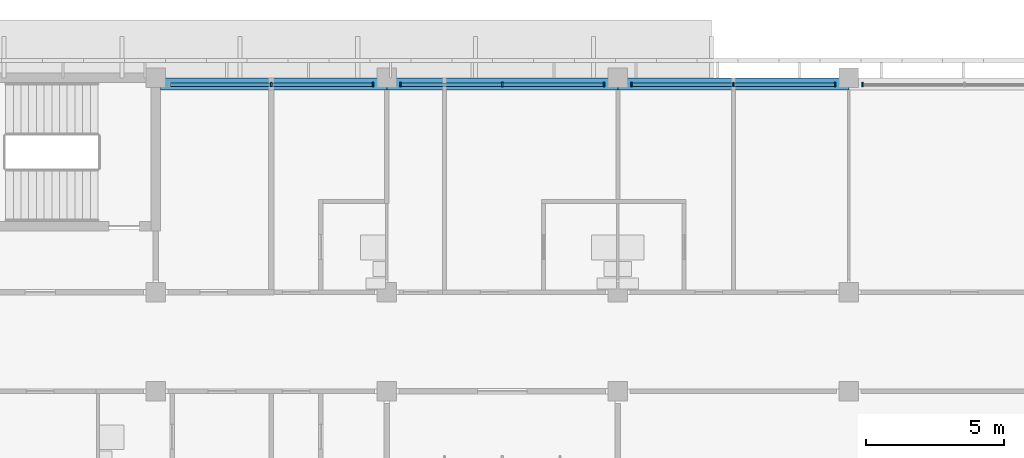
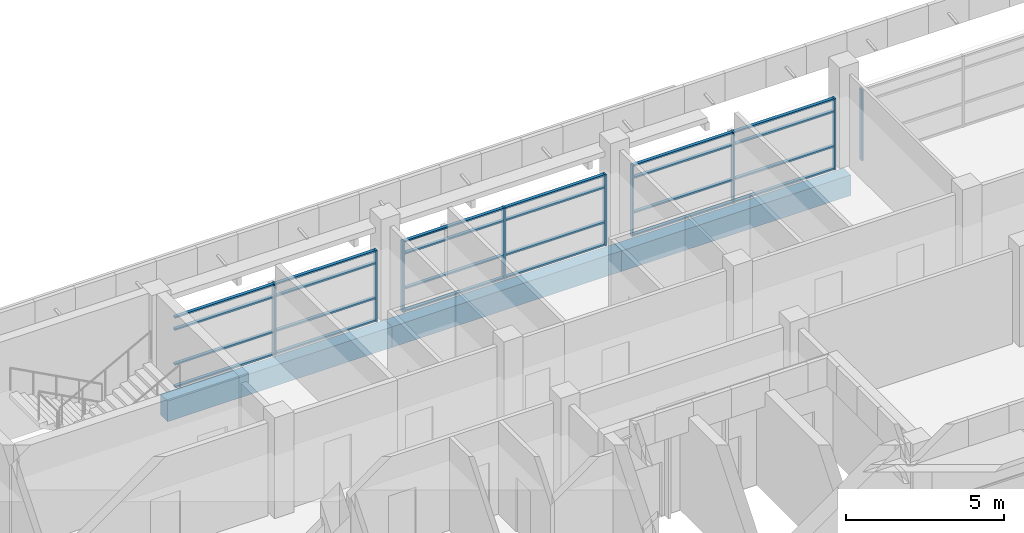
# One storey, part 9 of 36: 33 members, 3 beams, 4 elements without a shape of their own.
"""IFC4 building model written with IfcOpenShell, lengths in metres."""

from ifc_helpers import new_model, si_unit, direction, frame, origin, origin_2d, place, context, subcontext, project, spatial, rectangle, extrude, material, material_profile, profile_set, type_object, element, aggregate, save


model = new_model("IFC4")

# Units and contexts
model_context = context("Model", 3, precision=1e-05, world=origin(), true_north=direction((0.0, 1.0)))
body_context = subcontext(model_context, "Body", "Model", "MODEL_VIEW")
ifc_project = project(units=[si_unit("LENGTHUNIT", "METRE"), si_unit("AREAUNIT", "SQUARE_METRE"), si_unit("VOLUMEUNIT", "CUBIC_METRE"), si_unit("PLANEANGLEUNIT", "RADIAN"), si_unit("MASSUNIT", "GRAM", prefix="KILO")], contexts=[model_context])

# Site, building, storey
site_placement = place(None, origin())
site = spatial("IfcSite", under=ifc_project, at=site_placement, CompositionType="ELEMENT")
building_placement = place(site_placement, origin())
building = spatial("IfcBuilding", under=site, at=building_placement, Name="Bougainvillea Quay General Hospital", CompositionType="ELEMENT")
storey_placement = place(building_placement, frame((0.0, 0.0, 32.699951171875)))
storey = spatial("IfcBuildingStorey", under=building, at=storey_placement, Name="L07", CompositionType="ELEMENT", Elevation=32.699951171875)

# Curtain wall, member
ifc_material_1 = material(Name="Aluminium curtain wall system, powder-coated glazed", Category="aluminium")
curtain_wall_type = type_object("IfcCurtainWallType", Name="Unitised curtain wall CW-3730", PredefinedType="NOTDEFINED", material=ifc_material_1)
curtain_wall_1_placement = place(storey_placement, origin())
curtain_wall_1 = element("IfcCurtainWall", 1, at=curtain_wall_1_placement, inside=storey, type_object=curtain_wall_type, Name="CW-4200 00", PredefinedType="NOTDEFINED")
ifc_material_2 = material(Name="Aluminium mullion, powder-coated charcoal", Category="aluminium")
ifc_material_profile_1 = material_profile(ifc_material_2, rectangle(XDim=0.159912109375, YDim=0.06005859375, at=origin_2d()))
ifc_profile_set_1 = profile_set([ifc_material_profile_1], Name="Aluminium mullion, powder-coated charcoal")
member_type_1 = type_object("IfcMemberType", Name="Curtain wall mullion 160x60", PredefinedType="MULLION", material=ifc_profile_set_1)
member_1_placement = place(storey_placement, frame((168.5, 159.35009765625, 0.0), z_axis=(0.0, 0.0, 1.0), x_axis=(0.0, -1.0, 0.0)))
member_1 = element("IfcMember", 2, at=member_1_placement, type_object=member_type_1, Name="CW-4200 mullion 3", PredefinedType="MULLION", context=body_context, shape_type="SweptSolid", body=[
    extrude(rectangle(XDim=0.159912109375, YDim=0.06005859375, at=origin_2d()), origin(), (0.0, 0.0, 1.0), 2.75),
])
aggregate(curtain_wall_1, [member_1])

# Curtain wall, members
curtain_wall_2_placement = place(storey_placement, origin())
curtain_wall_2 = element("IfcCurtainWall", 3, at=curtain_wall_2_placement, inside=storey, type_object=curtain_wall_type, Name="CW-4200 01", PredefinedType="NOTDEFINED")
member_2_placement = place(storey_placement, frame((167.5, 159.35009765625, 0.0), z_axis=(0.0, 0.0, 1.0), x_axis=(0.0, -1.0, 0.0)))
member_2 = element("IfcMember", 4, at=member_2_placement, type_object=member_type_1, Name="CW-4200 mullion 1", PredefinedType="MULLION", context=body_context, shape_type="SweptSolid", body=[
    extrude(rectangle(XDim=0.159912109375, YDim=0.06005859375, at=origin_2d()), origin(), (0.0, 0.0, 1.0), 2.75),
])
member_3_placement = place(storey_placement, frame((163.800048828125, 159.35009765625, 0.0), z_axis=(0.0, 0.0, 1.0), x_axis=(0.0, -1.0, 0.0)))
member_3 = element("IfcMember", 5, at=member_3_placement, type_object=member_type_1, Name="CW-4200 mullion 2", PredefinedType="MULLION", context=body_context, shape_type="SweptSolid", body=[
    extrude(rectangle(XDim=0.159912109375, YDim=0.06005859375, at=origin_2d()), origin(), (0.0, 0.0, 1.0), 2.75),
])
member_4_placement = place(storey_placement, frame((160.10009765625, 159.35009765625, 0.0), z_axis=(0.0, 0.0, 1.0), x_axis=(0.0, -1.0, 0.0)))
member_4 = element("IfcMember", 6, at=member_4_placement, type_object=member_type_1, Name="CW-4200 mullion 3", PredefinedType="MULLION", context=body_context, shape_type="SweptSolid", body=[
    extrude(rectangle(XDim=0.159912109375, YDim=0.06005859375, at=origin_2d()), origin(), (0.0, 0.0, 1.0), 2.75),
])

curtain_wall_3_placement = place(storey_placement, origin())
curtain_wall_3 = element("IfcCurtainWall", 7, at=curtain_wall_3_placement, inside=storey, type_object=curtain_wall_type, Name="CW-4200 02", PredefinedType="NOTDEFINED")
member_5_placement = place(storey_placement, frame((159.10009765625, 159.35009765625, 0.0), z_axis=(0.0, 0.0, 1.0), x_axis=(0.0, -1.0, 0.0)))
member_5 = element("IfcMember", 8, at=member_5_placement, type_object=member_type_1, Name="CW-4200 mullion 1", PredefinedType="MULLION", context=body_context, shape_type="SweptSolid", body=[
    extrude(rectangle(XDim=0.159912109375, YDim=0.06005859375, at=origin_2d()), origin(), (0.0, 0.0, 1.0), 2.75),
])
member_6_placement = place(storey_placement, frame((155.39990234375, 159.35009765625, 0.0), z_axis=(0.0, 0.0, 1.0), x_axis=(0.0, -1.0, 0.0)))
member_6 = element("IfcMember", 9, at=member_6_placement, type_object=member_type_1, Name="CW-4200 mullion 2", PredefinedType="MULLION", context=body_context, shape_type="SweptSolid", body=[
    extrude(rectangle(XDim=0.159912109375, YDim=0.06005859375, at=origin_2d()), origin(), (0.0, 0.0, 1.0), 2.75),
])
member_7_placement = place(storey_placement, frame((151.699951171875, 159.35009765625, 0.0), z_axis=(0.0, 0.0, 1.0), x_axis=(0.0, -1.0, 0.0)))
member_7 = element("IfcMember", 10, at=member_7_placement, type_object=member_type_1, Name="CW-4200 mullion 3", PredefinedType="MULLION", context=body_context, shape_type="SweptSolid", body=[
    extrude(rectangle(XDim=0.159912109375, YDim=0.06005859375, at=origin_2d()), origin(), (0.0, 0.0, 1.0), 2.75),
])

curtain_wall_4_placement = place(storey_placement, origin())
curtain_wall_4 = element("IfcCurtainWall", 11, at=curtain_wall_4_placement, inside=storey, type_object=curtain_wall_type, Name="CW-4200 03", PredefinedType="NOTDEFINED")
member_8_placement = place(storey_placement, frame((150.699951171875, 159.35009765625, 0.0), z_axis=(0.0, 0.0, 1.0), x_axis=(0.0, -1.0, 0.0)))
member_8 = element("IfcMember", 12, at=member_8_placement, type_object=member_type_1, Name="CW-4200 mullion 1", PredefinedType="MULLION", context=body_context, shape_type="SweptSolid", body=[
    extrude(rectangle(XDim=0.159912109375, YDim=0.06005859375, at=origin_2d()), origin(), (0.0, 0.0, 1.0), 2.75),
])
member_9_placement = place(storey_placement, frame((147.0, 159.35009765625, 0.0), z_axis=(0.0, 0.0, 1.0), x_axis=(0.0, -1.0, 0.0)))
member_9 = element("IfcMember", 13, at=member_9_placement, type_object=member_type_1, Name="CW-4200 mullion 2", PredefinedType="MULLION", context=body_context, shape_type="SweptSolid", body=[
    extrude(rectangle(XDim=0.159912109375, YDim=0.06005859375, at=origin_2d()), origin(), (0.0, 0.0, 1.0), 2.75),
])

# Member
ifc_material_3 = material(Name="Aluminium transom, powder-coated charcoal", Category="aluminium")
ifc_material_profile_2 = material_profile(ifc_material_3, rectangle(XDim=0.1201171875, YDim=0.06005859375, at=origin_2d()))
ifc_profile_set_2 = profile_set([ifc_material_profile_2], Name="Aluminium transom, powder-coated charcoal")
member_type_2 = type_object("IfcMemberType", Name="Curtain wall transom 120x60", PredefinedType="USERDEFINED", material=ifc_profile_set_2)
member_10_placement = place(storey_placement, frame((167.469970703125, 159.35009765625, 0.030029296875), z_axis=(-1.0, 0.0, 0.0), x_axis=(0.0, -1.0, 0.0)))
member_10 = element("IfcMember", 14, at=member_10_placement, type_object=member_type_2, Name="CW-4200 transom 1.1", ObjectType="TRANSOM", PredefinedType="USERDEFINED", context=body_context, shape_type="SweptSolid", body=[
    extrude(rectangle(XDim=0.1201171875, YDim=0.06005859375, at=origin_2d()), origin(), (0.0, 0.0, 1.0), 3.639892578125),
])

member_11_placement = place(storey_placement, frame((167.469970703125, 159.35009765625, 0.900146484375), z_axis=(-1.0, 0.0, 0.0), x_axis=(0.0, -1.0, 0.0)))
member_11 = element("IfcMember", 15, at=member_11_placement, type_object=member_type_2, Name="CW-4200 transom 1.2", ObjectType="TRANSOM", PredefinedType="USERDEFINED", context=body_context, shape_type="SweptSolid", body=[
    extrude(rectangle(XDim=0.1201171875, YDim=0.06005859375, at=origin_2d()), origin(), (0.0, 0.0, 1.0), 3.639892578125),
])

member_12_placement = place(storey_placement, frame((167.469970703125, 159.35009765625, 2.25), z_axis=(-1.0, 0.0, 0.0), x_axis=(0.0, -1.0, 0.0)))
member_12 = element("IfcMember", 16, at=member_12_placement, type_object=member_type_2, Name="CW-4200 transom 1.3", ObjectType="TRANSOM", PredefinedType="USERDEFINED", context=body_context, shape_type="SweptSolid", body=[
    extrude(rectangle(XDim=0.1201171875, YDim=0.06005859375, at=origin_2d()), origin(), (0.0, 0.0, 1.0), 3.639892578125),
])

member_13_placement = place(storey_placement, frame((167.469970703125, 159.35009765625, 2.719970703125), z_axis=(-1.0, 0.0, 0.0), x_axis=(0.0, -1.0, 0.0)))
member_13 = element("IfcMember", 17, at=member_13_placement, type_object=member_type_2, Name="CW-4200 transom 1.4", ObjectType="TRANSOM", PredefinedType="USERDEFINED", context=body_context, shape_type="SweptSolid", body=[
    extrude(rectangle(XDim=0.1201171875, YDim=0.06005859375, at=origin_2d()), origin(), (0.0, 0.0, 1.0), 3.639892578125),
])

member_14_placement = place(storey_placement, frame((163.77001953125, 159.35009765625, 0.030029296875), z_axis=(-1.0, 0.0, 0.0), x_axis=(0.0, -1.0, 0.0)))
member_14 = element("IfcMember", 18, at=member_14_placement, type_object=member_type_2, Name="CW-4200 transom 2.1", ObjectType="TRANSOM", PredefinedType="USERDEFINED", context=body_context, shape_type="SweptSolid", body=[
    extrude(rectangle(XDim=0.1201171875, YDim=0.06005859375, at=origin_2d()), origin(), (0.0, 0.0, 1.0), 3.64013671875),
])

member_15_placement = place(storey_placement, frame((163.77001953125, 159.35009765625, 0.900146484375), z_axis=(-1.0, 0.0, 0.0), x_axis=(0.0, -1.0, 0.0)))
member_15 = element("IfcMember", 19, at=member_15_placement, type_object=member_type_2, Name="CW-4200 transom 2.2", ObjectType="TRANSOM", PredefinedType="USERDEFINED", context=body_context, shape_type="SweptSolid", body=[
    extrude(rectangle(XDim=0.1201171875, YDim=0.06005859375, at=origin_2d()), origin(), (0.0, 0.0, 1.0), 3.64013671875),
])

member_16_placement = place(storey_placement, frame((163.77001953125, 159.35009765625, 2.25), z_axis=(-1.0, 0.0, 0.0), x_axis=(0.0, -1.0, 0.0)))
member_16 = element("IfcMember", 20, at=member_16_placement, type_object=member_type_2, Name="CW-4200 transom 2.3", ObjectType="TRANSOM", PredefinedType="USERDEFINED", context=body_context, shape_type="SweptSolid", body=[
    extrude(rectangle(XDim=0.1201171875, YDim=0.06005859375, at=origin_2d()), origin(), (0.0, 0.0, 1.0), 3.64013671875),
])

member_17_placement = place(storey_placement, frame((163.77001953125, 159.35009765625, 2.719970703125), z_axis=(-1.0, 0.0, 0.0), x_axis=(0.0, -1.0, 0.0)))
member_17 = element("IfcMember", 21, at=member_17_placement, type_object=member_type_2, Name="CW-4200 transom 2.4", ObjectType="TRANSOM", PredefinedType="USERDEFINED", context=body_context, shape_type="SweptSolid", body=[
    extrude(rectangle(XDim=0.1201171875, YDim=0.06005859375, at=origin_2d()), origin(), (0.0, 0.0, 1.0), 3.64013671875),
])

aggregate(curtain_wall_2, [member_2, member_3, member_4, member_10, member_11, member_12, member_13, member_14, member_15, member_16, member_17])

member_18_placement = place(storey_placement, frame((159.070068359375, 159.35009765625, 0.030029296875), z_axis=(-1.0, 0.0, 0.0), x_axis=(0.0, -1.0, 0.0)))
member_18 = element("IfcMember", 22, at=member_18_placement, type_object=member_type_2, Name="CW-4200 transom 1.1", ObjectType="TRANSOM", PredefinedType="USERDEFINED", context=body_context, shape_type="SweptSolid", body=[
    extrude(rectangle(XDim=0.1201171875, YDim=0.06005859375, at=origin_2d()), origin(), (0.0, 0.0, 1.0), 3.64013671875),
])

member_19_placement = place(storey_placement, frame((159.070068359375, 159.35009765625, 0.900146484375), z_axis=(-1.0, 0.0, 0.0), x_axis=(0.0, -1.0, 0.0)))
member_19 = element("IfcMember", 23, at=member_19_placement, type_object=member_type_2, Name="CW-4200 transom 1.2", ObjectType="TRANSOM", PredefinedType="USERDEFINED", context=body_context, shape_type="SweptSolid", body=[
    extrude(rectangle(XDim=0.1201171875, YDim=0.06005859375, at=origin_2d()), origin(), (0.0, 0.0, 1.0), 3.64013671875),
])

member_20_placement = place(storey_placement, frame((159.070068359375, 159.35009765625, 2.25), z_axis=(-1.0, 0.0, 0.0), x_axis=(0.0, -1.0, 0.0)))
member_20 = element("IfcMember", 24, at=member_20_placement, type_object=member_type_2, Name="CW-4200 transom 1.3", ObjectType="TRANSOM", PredefinedType="USERDEFINED", context=body_context, shape_type="SweptSolid", body=[
    extrude(rectangle(XDim=0.1201171875, YDim=0.06005859375, at=origin_2d()), origin(), (0.0, 0.0, 1.0), 3.64013671875),
])

member_21_placement = place(storey_placement, frame((159.070068359375, 159.35009765625, 2.719970703125), z_axis=(-1.0, 0.0, 0.0), x_axis=(0.0, -1.0, 0.0)))
member_21 = element("IfcMember", 25, at=member_21_placement, type_object=member_type_2, Name="CW-4200 transom 1.4", ObjectType="TRANSOM", PredefinedType="USERDEFINED", context=body_context, shape_type="SweptSolid", body=[
    extrude(rectangle(XDim=0.1201171875, YDim=0.06005859375, at=origin_2d()), origin(), (0.0, 0.0, 1.0), 3.64013671875),
])

member_22_placement = place(storey_placement, frame((155.3701171875, 159.35009765625, 0.030029296875), z_axis=(-1.0, 0.0, 0.0), x_axis=(0.0, -1.0, 0.0)))
member_22 = element("IfcMember", 26, at=member_22_placement, type_object=member_type_2, Name="CW-4200 transom 2.1", ObjectType="TRANSOM", PredefinedType="USERDEFINED", context=body_context, shape_type="SweptSolid", body=[
    extrude(rectangle(XDim=0.1201171875, YDim=0.06005859375, at=origin_2d()), origin(), (0.0, 0.0, 1.0), 3.64013671875),
])

member_23_placement = place(storey_placement, frame((155.3701171875, 159.35009765625, 0.900146484375), z_axis=(-1.0, 0.0, 0.0), x_axis=(0.0, -1.0, 0.0)))
member_23 = element("IfcMember", 27, at=member_23_placement, type_object=member_type_2, Name="CW-4200 transom 2.2", ObjectType="TRANSOM", PredefinedType="USERDEFINED", context=body_context, shape_type="SweptSolid", body=[
    extrude(rectangle(XDim=0.1201171875, YDim=0.06005859375, at=origin_2d()), origin(), (0.0, 0.0, 1.0), 3.64013671875),
])

member_24_placement = place(storey_placement, frame((155.3701171875, 159.35009765625, 2.25), z_axis=(-1.0, 0.0, 0.0), x_axis=(0.0, -1.0, 0.0)))
member_24 = element("IfcMember", 28, at=member_24_placement, type_object=member_type_2, Name="CW-4200 transom 2.3", ObjectType="TRANSOM", PredefinedType="USERDEFINED", context=body_context, shape_type="SweptSolid", body=[
    extrude(rectangle(XDim=0.1201171875, YDim=0.06005859375, at=origin_2d()), origin(), (0.0, 0.0, 1.0), 3.64013671875),
])

member_25_placement = place(storey_placement, frame((155.3701171875, 159.35009765625, 2.719970703125), z_axis=(-1.0, 0.0, 0.0), x_axis=(0.0, -1.0, 0.0)))
member_25 = element("IfcMember", 29, at=member_25_placement, type_object=member_type_2, Name="CW-4200 transom 2.4", ObjectType="TRANSOM", PredefinedType="USERDEFINED", context=body_context, shape_type="SweptSolid", body=[
    extrude(rectangle(XDim=0.1201171875, YDim=0.06005859375, at=origin_2d()), origin(), (0.0, 0.0, 1.0), 3.64013671875),
])

aggregate(curtain_wall_3, [member_5, member_6, member_7, member_18, member_19, member_20, member_21, member_22, member_23, member_24, member_25])

member_26_placement = place(storey_placement, frame((150.669921875, 159.35009765625, 0.030029296875), z_axis=(-1.0, 0.0, 0.0), x_axis=(0.0, -1.0, 0.0)))
member_26 = element("IfcMember", 30, at=member_26_placement, type_object=member_type_2, Name="CW-4200 transom 1.1", ObjectType="TRANSOM", PredefinedType="USERDEFINED", context=body_context, shape_type="SweptSolid", body=[
    extrude(rectangle(XDim=0.1201171875, YDim=0.06005859375, at=origin_2d()), origin(), (0.0, 0.0, 1.0), 3.639892578125),
])

member_27_placement = place(storey_placement, frame((150.669921875, 159.35009765625, 0.900146484375), z_axis=(-1.0, 0.0, 0.0), x_axis=(0.0, -1.0, 0.0)))
member_27 = element("IfcMember", 31, at=member_27_placement, type_object=member_type_2, Name="CW-4200 transom 1.2", ObjectType="TRANSOM", PredefinedType="USERDEFINED", context=body_context, shape_type="SweptSolid", body=[
    extrude(rectangle(XDim=0.1201171875, YDim=0.06005859375, at=origin_2d()), origin(), (0.0, 0.0, 1.0), 3.639892578125),
])

member_28_placement = place(storey_placement, frame((150.669921875, 159.35009765625, 2.25), z_axis=(-1.0, 0.0, 0.0), x_axis=(0.0, -1.0, 0.0)))
member_28 = element("IfcMember", 32, at=member_28_placement, type_object=member_type_2, Name="CW-4200 transom 1.3", ObjectType="TRANSOM", PredefinedType="USERDEFINED", context=body_context, shape_type="SweptSolid", body=[
    extrude(rectangle(XDim=0.1201171875, YDim=0.06005859375, at=origin_2d()), origin(), (0.0, 0.0, 1.0), 3.639892578125),
])

member_29_placement = place(storey_placement, frame((150.669921875, 159.35009765625, 2.719970703125), z_axis=(-1.0, 0.0, 0.0), x_axis=(0.0, -1.0, 0.0)))
member_29 = element("IfcMember", 33, at=member_29_placement, type_object=member_type_2, Name="CW-4200 transom 1.4", ObjectType="TRANSOM", PredefinedType="USERDEFINED", context=body_context, shape_type="SweptSolid", body=[
    extrude(rectangle(XDim=0.1201171875, YDim=0.06005859375, at=origin_2d()), origin(), (0.0, 0.0, 1.0), 3.639892578125),
])

member_30_placement = place(storey_placement, frame((146.969970703125, 159.35009765625, 0.030029296875), z_axis=(-1.0, 0.0, 0.0), x_axis=(0.0, -1.0, 0.0)))
member_30 = element("IfcMember", 34, at=member_30_placement, type_object=member_type_2, Name="CW-4200 transom 2.1", ObjectType="TRANSOM", PredefinedType="USERDEFINED", context=body_context, shape_type="SweptSolid", body=[
    extrude(rectangle(XDim=0.1201171875, YDim=0.06005859375, at=origin_2d()), origin(), (0.0, 0.0, 1.0), 3.639892578125),
])

member_31_placement = place(storey_placement, frame((146.969970703125, 159.35009765625, 0.900146484375), z_axis=(-1.0, 0.0, 0.0), x_axis=(0.0, -1.0, 0.0)))
member_31 = element("IfcMember", 35, at=member_31_placement, type_object=member_type_2, Name="CW-4200 transom 2.2", ObjectType="TRANSOM", PredefinedType="USERDEFINED", context=body_context, shape_type="SweptSolid", body=[
    extrude(rectangle(XDim=0.1201171875, YDim=0.06005859375, at=origin_2d()), origin(), (0.0, 0.0, 1.0), 3.639892578125),
])

member_32_placement = place(storey_placement, frame((146.969970703125, 159.35009765625, 2.25), z_axis=(-1.0, 0.0, 0.0), x_axis=(0.0, -1.0, 0.0)))
member_32 = element("IfcMember", 36, at=member_32_placement, type_object=member_type_2, Name="CW-4200 transom 2.3", ObjectType="TRANSOM", PredefinedType="USERDEFINED", context=body_context, shape_type="SweptSolid", body=[
    extrude(rectangle(XDim=0.1201171875, YDim=0.06005859375, at=origin_2d()), origin(), (0.0, 0.0, 1.0), 3.639892578125),
])

member_33_placement = place(storey_placement, frame((146.969970703125, 159.35009765625, 2.719970703125), z_axis=(-1.0, 0.0, 0.0), x_axis=(0.0, -1.0, 0.0)))
member_33 = element("IfcMember", 37, at=member_33_placement, type_object=member_type_2, Name="CW-4200 transom 2.4", ObjectType="TRANSOM", PredefinedType="USERDEFINED", context=body_context, shape_type="SweptSolid", body=[
    extrude(rectangle(XDim=0.1201171875, YDim=0.06005859375, at=origin_2d()), origin(), (0.0, 0.0, 1.0), 3.639892578125),
])

aggregate(curtain_wall_4, [member_8, member_9, member_26, member_27, member_28, member_29, member_30, member_31, member_32, member_33])

# Beams
ifc_material_4 = material(Name="Concrete C40", Category="concrete")
ifc_material_profile_3 = material_profile(ifc_material_4, rectangle(XDim=0.449951171875, YDim=0.800048828125, at=origin_2d()))
ifc_profile_set_3 = profile_set([ifc_material_profile_3], Name="Concrete C40")
beam_type = type_object("IfcBeamType", Name="RC BEAM 450x800 C40", PredefinedType="BEAM", material=ifc_profile_set_3)
beam_1_placement = place(storey_placement, frame((168.0, 159.375, -0.699951171875), z_axis=(-1.0, 0.0, 0.0), x_axis=(0.0, -1.0, 0.0)))
element("IfcBeam", 38, at=beam_1_placement, inside=storey, type_object=beam_type, Name="Edge beam L07", PredefinedType="BEAM", context=body_context, shape_type="SweptSolid", body=[
    extrude(rectangle(XDim=0.449951171875, YDim=0.800048828125, at=origin_2d()), origin(), (0.0, 0.0, 1.0), 8.39990234375),
])
beam_2_placement = place(storey_placement, frame((159.60009765625, 159.375, -0.699951171875), z_axis=(-1.0, 0.0, 0.0), x_axis=(0.0, -1.0, 0.0)))
element("IfcBeam", 39, at=beam_2_placement, inside=storey, type_object=beam_type, Name="Edge beam L07", PredefinedType="BEAM", context=body_context, shape_type="SweptSolid", body=[
    extrude(rectangle(XDim=0.449951171875, YDim=0.800048828125, at=origin_2d()), origin(), (0.0, 0.0, 1.0), 8.400146484375),
])
beam_3_placement = place(storey_placement, frame((151.199951171875, 159.375, -0.699951171875), z_axis=(-1.0, 0.0, 0.0), x_axis=(0.0, -1.0, 0.0)))
element("IfcBeam", 40, at=beam_3_placement, inside=storey, type_object=beam_type, Name="Edge beam L07", PredefinedType="BEAM", context=body_context, shape_type="SweptSolid", body=[
    extrude(rectangle(XDim=0.449951171875, YDim=0.800048828125, at=origin_2d()), origin(), (0.0, 0.0, 1.0), 8.224853515625),
])

save(model, "model.ifc")
